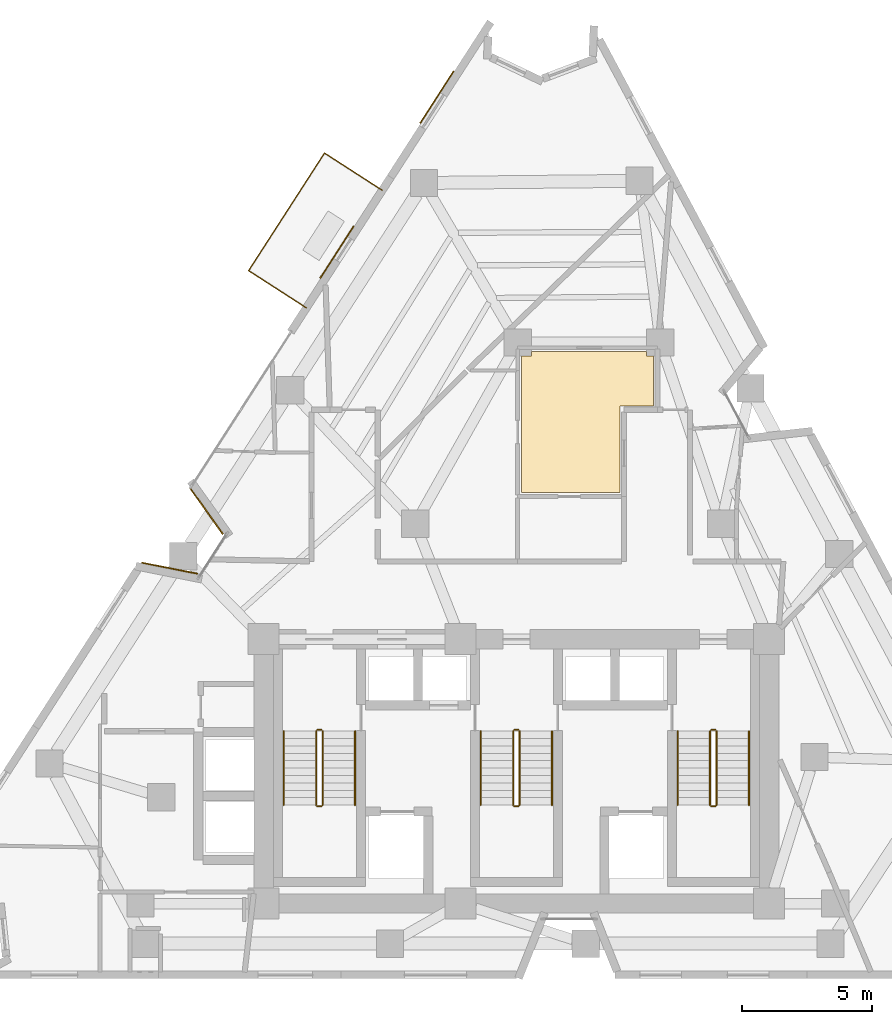
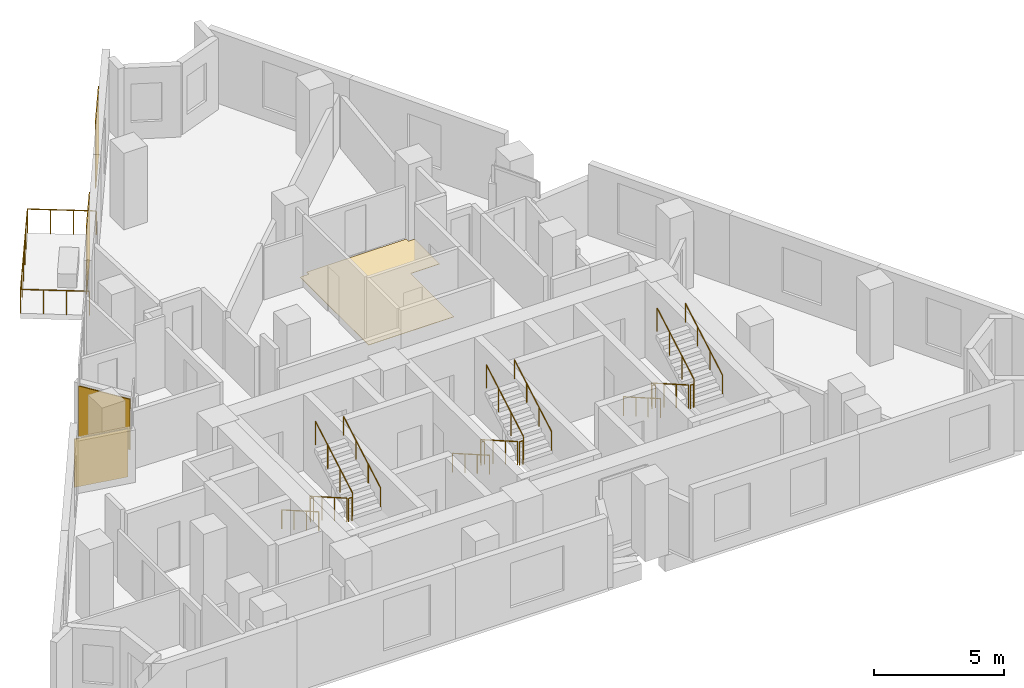
# One storey, part 10 of 10: 19 railings, 5 coverings.
"""IFC4 building model written with IfcOpenShell, lengths in metres."""

from ifc_helpers import new_model, si_unit, direction, frame, origin, origin_2d, place, context, subcontext, project, spatial, polyline, rectangle, circle, outline, extrude, material, layer, layer_set, type_object, element, save


model = new_model("IFC4")

# Units and contexts
model_context = context("Model", 3, precision=1e-05, world=origin(), true_north=direction((0.0, 1.0)))
body_context = subcontext(model_context, "Body", "Model", "MODEL_VIEW")
ifc_project = project(units=[si_unit("LENGTHUNIT", "METRE"), si_unit("AREAUNIT", "SQUARE_METRE"), si_unit("VOLUMEUNIT", "CUBIC_METRE"), si_unit("PLANEANGLEUNIT", "RADIAN"), si_unit("MASSUNIT", "GRAM", prefix="KILO")], contexts=[model_context])

# Site, building, storey
site_placement = place(None, origin())
site = spatial("IfcSite", under=ifc_project, at=site_placement, CompositionType="ELEMENT")
building_placement = place(site_placement, origin())
building = spatial("IfcBuilding", under=site, at=building_placement, Name="Almagre Mirador Tower", CompositionType="ELEMENT")
storey_placement = place(building_placement, frame((0.0, 0.0, 186.0)))
storey = spatial("IfcBuildingStorey", under=building, at=storey_placement, Name="L48", CompositionType="ELEMENT", Elevation=186.0)

# Coverings
ifc_material_1 = material(Name="Almagre terracotta architectural cladding", Category="masonry")
ifc_layer_1 = layer(ifc_material_1, 0.044921875)
ifc_layer_set_1 = layer_set([ifc_layer_1], Name="Almagre terracotta architectural cladding")
covering_type_1 = type_object("IfcCoveringType", Name="COV-CLAD-ALMAGRE", PredefinedType="CLADDING", material=ifc_layer_set_1)
covering_1_placement = place(storey_placement, frame((23.92138671875, 17.48681640625, 0.10009765625), z_axis=(0.0, 0.0, 1.0), x_axis=(0.981164762779, -0.193172742077, 0.0)))
element("IfcCovering", 1, at=covering_1_placement, inside=storey, type_object=covering_type_1, Name="L48 almagre terracotta pier cladding", PredefinedType="CLADDING", context=body_context, shape_type="SweptSolid", body=[
    extrude(rectangle(XDim=2.194091796875, YDim=0.044921875, at=origin_2d()), origin(), (0.0, 0.0, 1.0), 2.26904296875),
])
covering_2_placement = place(storey_placement, frame((25.343994140625, 19.69287109375, 0.10009765625), z_axis=(0.0, 0.0, 1.0), x_axis=(-0.580475589131, 0.814277649468, 0.0)))
element("IfcCovering", 2, at=covering_2_placement, inside=storey, type_object=covering_type_1, Name="L48 almagre terracotta pier cladding", PredefinedType="CLADDING", context=body_context, shape_type="SweptSolid", body=[
    extrude(rectangle(XDim=2.194091796875, YDim=0.044921875, at=origin_2d()), origin(), (0.0, 0.0, 1.0), 2.375),
])
for number, where, z_axis, x_axis, name in (
    (3, (30.37744140625, 29.680419921875, 0.10009765625), (0.0, 0.0, 1.0), (0.542030924747, 0.840358540516, 0.0), "L48 almagre terracotta pier cladding"),
    (4, (34.234619140625, 35.660400390625, 0.10009765625), (0.0, 0.0, 1.0), (0.542030924747, 0.840358540516, 0.0), "L48 almagre terracotta pier cladding"),
):
    element("IfcCovering", number, at=place(storey_placement, frame(where, z_axis=z_axis, x_axis=x_axis)), inside=storey, type_object=covering_type_1, Name=name, PredefinedType="CLADDING", context=body_context, shape_type="SweptSolid", body=[
        extrude(rectangle(XDim=2.39990234375, YDim=0.044921875, at=origin_2d()), origin(), (0.0, 0.0, 1.0), 3.14990234375),
    ])
ifc_material_2 = material(Name="Engineered white oak flooring", Category="wood")
ifc_layer_2 = layer(ifc_material_2, 0.01806640625)
ifc_layer_set_2 = layer_set([ifc_layer_2], Name="Engineered white oak flooring")
covering_type_2 = type_object("IfcCoveringType", Name="COV-FLR-OAK-18", PredefinedType="FLOORING", material=ifc_layer_set_2)
covering_3_placement = place(storey_placement, origin())
element("IfcCovering", 5, at=covering_3_placement, inside=storey, type_object=covering_type_2, Name="L48 Unit L48-E Living and Dining Room finish flooring", PredefinedType="FLOORING", context=body_context, shape_type="SweptSolid", body=[
    extrude(outline(polyline([(41.300048828125, 20.39990234375), (37.5, 20.39990234375), (37.5, 25.669921875), (37.8798828125, 25.669921875), (37.8798828125, 25.840087890625), (42.320068359375, 25.840087890625), (42.320068359375, 25.669921875), (42.60009765625, 25.669921875), (42.60009765625, 23.75), (41.300048828125, 23.75), (41.300048828125, 20.39990234375)])), origin(), (0.0, 0.0, 1.0), 0.01806640625),
])

# Railings
ifc_material_3 = material(Name="Black anodized aluminium", Category="aluminium")
railing_type_1 = type_object("IfcRailingType", Name="RLG-BAL-1150", PredefinedType="BALUSTRADE", material=ifc_material_3)
railing_1_placement = place(storey_placement, frame((32.123046875, 32.069091796875, 0.0)))
element("IfcRailing", 6, at=railing_1_placement, inside=storey, type_object=railing_type_1, Name="L48 west balcony balustrade 1", PredefinedType="BALUSTRADE", context=body_context, shape_type="SweptSolid", body=[
    extrude(circle(Radius=0.02392578125, at=origin_2d()), frame((0.0, 0.0, 1.1259765625), z_axis=(-0.840363006346, 0.542024000913, 0.0), x_axis=(-0.542024000913, -0.840363006346, 0.0)), (0.0, 0.0, 1.0), 2.64892578125),
    extrude(circle(Radius=0.02392578125, at=origin_2d()), frame((-2.22607421875, 1.435791015625, 1.1259765625), z_axis=(-0.542043453001, -0.840350459665, 0.0), x_axis=(0.840350459665, -0.542043453001, 0.0)), (0.0, 0.0, 1.0), 5.39990234375),
    extrude(circle(Radius=0.02392578125, at=origin_2d()), frame((-5.153076171875, -3.10205078125, 1.1259765625), z_axis=(0.840429304159, -0.54192119788, 0.0), x_axis=(0.54192119788, 0.840429304159, 0.0)), (0.0, 0.0, 1.0), 2.64990234375),
    extrude(circle(Radius=0.02099609375, at=origin_2d()), origin(), (0.0, 0.0, 1.0), 1.101806640625),
    extrude(circle(Radius=0.02099609375, at=origin_2d()), frame((-0.741943359375, 0.478515625, 0.0)), (0.0, 0.0, 1.0), 1.101806640625),
    extrude(circle(Radius=0.02099609375, at=origin_2d()), frame((-1.484130859375, 0.957275390625, 0.0)), (0.0, 0.0, 1.0), 1.101806640625),
    extrude(circle(Radius=0.02099609375, at=origin_2d()), frame((-2.22607421875, 1.435791015625, 0.0)), (0.0, 0.0, 1.0), 1.101806640625),
    extrude(circle(Radius=0.02099609375, at=origin_2d()), frame((-2.8115234375, 0.5283203125, 0.0)), (0.0, 0.0, 1.0), 1.101806640625),
    extrude(circle(Radius=0.02099609375, at=origin_2d()), frame((-3.39697265625, -0.37939453125, 0.0)), (0.0, 0.0, 1.0), 1.101806640625),
    extrude(circle(Radius=0.02099609375, at=origin_2d()), frame((-3.982177734375, -1.286865234375, 0.0)), (0.0, 0.0, 1.0), 1.101806640625),
    extrude(circle(Radius=0.02099609375, at=origin_2d()), frame((-4.567626953125, -2.194580078125, 0.0)), (0.0, 0.0, 1.0), 1.101806640625),
    extrude(circle(Radius=0.02099609375, at=origin_2d()), frame((-5.153076171875, -3.10205078125, 0.0)), (0.0, 0.0, 1.0), 1.101806640625),
    extrude(circle(Radius=0.02099609375, at=origin_2d()), frame((-4.41064453125, -3.580810546875, 0.0)), (0.0, 0.0, 1.0), 1.101806640625),
    extrude(circle(Radius=0.02099609375, at=origin_2d()), frame((-3.66845703125, -4.059326171875, 0.0)), (0.0, 0.0, 1.0), 1.101806640625),
    extrude(circle(Radius=0.02099609375, at=origin_2d()), frame((-2.926025390625, -4.5380859375, 0.0)), (0.0, 0.0, 1.0), 1.101806640625),
])
ifc_material_4 = material(Name="Painted galvanized steel", Category="steel")
railing_type_2 = type_object("IfcRailingType", Name="RLG-GRD-1100", PredefinedType="GUARDRAIL", material=ifc_material_4)
railing_2_placement = place(storey_placement, frame((29.574951171875, 11.199951171875, 0.16357421875)))
element("IfcRailing", 7, at=railing_2_placement, inside=storey, type_object=railing_type_2, Name="L48 ST-1 stair guard 1", PredefinedType="GUARDRAIL", context=body_context, shape_type="SweptSolid", body=[
    extrude(circle(Radius=0.02392578125, at=origin_2d()), frame((0.0, 0.0, 1.09619140625), z_axis=(0.0, -0.867194282975, 0.497969954491), x_axis=(1.0, 0.0, 0.0)), (0.0, 0.0, 1.0), 3.286376953125),
    extrude(circle(Radius=0.02099609375, at=origin_2d()), origin(), (0.0, 0.0, 1.0), 1.072021484375),
    extrude(circle(Radius=0.02099609375, at=origin_2d()), frame((0.0, -0.949951171875, 0.54541015625)), (0.0, 0.0, 1.0), 1.072021484375),
    extrude(circle(Radius=0.02099609375, at=origin_2d()), frame((0.0, -1.89990234375, 1.091064453125)), (0.0, 0.0, 1.0), 1.072021484375),
    extrude(circle(Radius=0.02099609375, at=origin_2d()), frame((0.0, -2.849853515625, 1.636474609375)), (0.0, 0.0, 1.0), 1.072021484375),
])
railing_3_placement = place(storey_placement, frame((29.625, 8.300048828125, 1.800048828125)))
element("IfcRailing", 8, at=railing_3_placement, inside=storey, type_object=railing_type_2, Name="L48 ST-1 stair guard 2", PredefinedType="GUARDRAIL", context=body_context, shape_type="SweptSolid", body=[
    extrude(circle(Radius=0.02392578125, at=origin_2d()), frame((0.0, 0.0, 1.09619140625), z_axis=(1.0, 0.0, 0.0), x_axis=(0.0, 1.0, 0.0)), (0.0, 0.0, 1.0), 0.14990234375),
    extrude(circle(Radius=0.02099609375, at=origin_2d()), origin(), (0.0, 0.0, 1.0), 1.072021484375),
    extrude(circle(Radius=0.02099609375, at=origin_2d()), frame((0.14990234375, 0.0, 0.0)), (0.0, 0.0, 1.0), 1.072021484375),
])
railing_4_placement = place(storey_placement, frame((29.824951171875, 8.35009765625, 1.963623046875)))
element("IfcRailing", 9, at=railing_4_placement, inside=storey, type_object=railing_type_2, Name="L48 ST-1 stair guard 3", PredefinedType="GUARDRAIL", context=body_context, shape_type="SweptSolid", body=[
    extrude(circle(Radius=0.02392578125, at=origin_2d()), frame((0.0, 0.0, 1.09619140625), z_axis=(0.0, 0.867194282975, 0.497969954491), x_axis=(-1.0, 0.0, 0.0)), (0.0, 0.0, 1.0), 3.286376953125),
    extrude(circle(Radius=0.02099609375, at=origin_2d()), origin(), (0.0, 0.0, 1.0), 1.072021484375),
    extrude(circle(Radius=0.02099609375, at=origin_2d()), frame((0.0, 0.949951171875, 0.54541015625)), (0.0, 0.0, 1.0), 1.072021484375),
    extrude(circle(Radius=0.02099609375, at=origin_2d()), frame((0.0, 1.89990234375, 1.091064453125)), (0.0, 0.0, 1.0), 1.072021484375),
    extrude(circle(Radius=0.02099609375, at=origin_2d()), frame((0.0, 2.849853515625, 1.636474609375)), (0.0, 0.0, 1.0), 1.072021484375),
])
railing_5_placement = place(storey_placement, frame((29.625, 11.25, 0.0)))
element("IfcRailing", 10, at=railing_5_placement, inside=storey, type_object=railing_type_2, Name="L48 ST-1 stair guard 4", PredefinedType="GUARDRAIL", context=body_context, shape_type="SweptSolid", body=[
    extrude(circle(Radius=0.02392578125, at=origin_2d()), frame((0.0, 0.0, 1.09619140625), z_axis=(1.0, 0.0, 0.0), x_axis=(0.0, 1.0, 0.0)), (0.0, 0.0, 1.0), 0.14990234375),
    extrude(circle(Radius=0.02099609375, at=origin_2d()), origin(), (0.0, 0.0, 1.0), 1.072021484375),
    extrude(circle(Radius=0.02099609375, at=origin_2d()), frame((0.14990234375, 0.0, 0.0)), (0.0, 0.0, 1.0), 1.072021484375),
])
railing_6_placement = place(storey_placement, frame((37.175048828125, 11.199951171875, 0.16357421875)))
element("IfcRailing", 11, at=railing_6_placement, inside=storey, type_object=railing_type_2, Name="L48 ST-2 stair guard 1", PredefinedType="GUARDRAIL", context=body_context, shape_type="SweptSolid", body=[
    extrude(circle(Radius=0.02392578125, at=origin_2d()), frame((0.0, 0.0, 1.09619140625), z_axis=(0.0, -0.867194282975, 0.497969954491), x_axis=(1.0, 0.0, 0.0)), (0.0, 0.0, 1.0), 3.286376953125),
    extrude(circle(Radius=0.02099609375, at=origin_2d()), origin(), (0.0, 0.0, 1.0), 1.072021484375),
    extrude(circle(Radius=0.02099609375, at=origin_2d()), frame((0.0, -0.949951171875, 0.54541015625)), (0.0, 0.0, 1.0), 1.072021484375),
    extrude(circle(Radius=0.02099609375, at=origin_2d()), frame((0.0, -1.89990234375, 1.091064453125)), (0.0, 0.0, 1.0), 1.072021484375),
    extrude(circle(Radius=0.02099609375, at=origin_2d()), frame((0.0, -2.849853515625, 1.636474609375)), (0.0, 0.0, 1.0), 1.072021484375),
])
railing_7_placement = place(storey_placement, frame((37.22509765625, 8.300048828125, 1.800048828125)))
element("IfcRailing", 12, at=railing_7_placement, inside=storey, type_object=railing_type_2, Name="L48 ST-2 stair guard 2", PredefinedType="GUARDRAIL", context=body_context, shape_type="SweptSolid", body=[
    extrude(circle(Radius=0.02392578125, at=origin_2d()), frame((0.0, 0.0, 1.09619140625), z_axis=(1.0, 0.0, 0.0), x_axis=(0.0, 1.0, 0.0)), (0.0, 0.0, 1.0), 0.14990234375),
    extrude(circle(Radius=0.02099609375, at=origin_2d()), origin(), (0.0, 0.0, 1.0), 1.072021484375),
    extrude(circle(Radius=0.02099609375, at=origin_2d()), frame((0.14990234375, 0.0, 0.0)), (0.0, 0.0, 1.0), 1.072021484375),
])
railing_8_placement = place(storey_placement, frame((37.425048828125, 8.35009765625, 1.963623046875)))
element("IfcRailing", 13, at=railing_8_placement, inside=storey, type_object=railing_type_2, Name="L48 ST-2 stair guard 3", PredefinedType="GUARDRAIL", context=body_context, shape_type="SweptSolid", body=[
    extrude(circle(Radius=0.02392578125, at=origin_2d()), frame((0.0, 0.0, 1.09619140625), z_axis=(0.0, 0.867194282975, 0.497969954491), x_axis=(-1.0, 0.0, 0.0)), (0.0, 0.0, 1.0), 3.286376953125),
    extrude(circle(Radius=0.02099609375, at=origin_2d()), origin(), (0.0, 0.0, 1.0), 1.072021484375),
    extrude(circle(Radius=0.02099609375, at=origin_2d()), frame((0.0, 0.949951171875, 0.54541015625)), (0.0, 0.0, 1.0), 1.072021484375),
    extrude(circle(Radius=0.02099609375, at=origin_2d()), frame((0.0, 1.89990234375, 1.091064453125)), (0.0, 0.0, 1.0), 1.072021484375),
    extrude(circle(Radius=0.02099609375, at=origin_2d()), frame((0.0, 2.849853515625, 1.636474609375)), (0.0, 0.0, 1.0), 1.072021484375),
])
railing_9_placement = place(storey_placement, frame((37.22509765625, 11.25, 0.0)))
element("IfcRailing", 14, at=railing_9_placement, inside=storey, type_object=railing_type_2, Name="L48 ST-2 stair guard 4", PredefinedType="GUARDRAIL", context=body_context, shape_type="SweptSolid", body=[
    extrude(circle(Radius=0.02392578125, at=origin_2d()), frame((0.0, 0.0, 1.09619140625), z_axis=(1.0, 0.0, 0.0), x_axis=(0.0, 1.0, 0.0)), (0.0, 0.0, 1.0), 0.14990234375),
    extrude(circle(Radius=0.02099609375, at=origin_2d()), origin(), (0.0, 0.0, 1.0), 1.072021484375),
    extrude(circle(Radius=0.02099609375, at=origin_2d()), frame((0.14990234375, 0.0, 0.0)), (0.0, 0.0, 1.0), 1.072021484375),
])
railing_10_placement = place(storey_placement, frame((44.77490234375, 11.199951171875, 0.16357421875)))
element("IfcRailing", 15, at=railing_10_placement, inside=storey, type_object=railing_type_2, Name="L48 ST-3 stair guard 1", PredefinedType="GUARDRAIL", context=body_context, shape_type="SweptSolid", body=[
    extrude(circle(Radius=0.02392578125, at=origin_2d()), frame((0.0, 0.0, 1.09619140625), z_axis=(0.0, -0.867194282975, 0.497969954491), x_axis=(1.0, 0.0, 0.0)), (0.0, 0.0, 1.0), 3.286376953125),
    extrude(circle(Radius=0.02099609375, at=origin_2d()), origin(), (0.0, 0.0, 1.0), 1.072021484375),
    extrude(circle(Radius=0.02099609375, at=origin_2d()), frame((0.0, -0.949951171875, 0.54541015625)), (0.0, 0.0, 1.0), 1.072021484375),
    extrude(circle(Radius=0.02099609375, at=origin_2d()), frame((0.0, -1.89990234375, 1.091064453125)), (0.0, 0.0, 1.0), 1.072021484375),
    extrude(circle(Radius=0.02099609375, at=origin_2d()), frame((0.0, -2.849853515625, 1.636474609375)), (0.0, 0.0, 1.0), 1.072021484375),
])
railing_11_placement = place(storey_placement, frame((44.824951171875, 8.300048828125, 1.800048828125)))
element("IfcRailing", 16, at=railing_11_placement, inside=storey, type_object=railing_type_2, Name="L48 ST-3 stair guard 2", PredefinedType="GUARDRAIL", context=body_context, shape_type="SweptSolid", body=[
    extrude(circle(Radius=0.02392578125, at=origin_2d()), frame((0.0, 0.0, 1.09619140625), z_axis=(1.0, 0.0, 0.0), x_axis=(0.0, 1.0, 0.0)), (0.0, 0.0, 1.0), 0.150146484375),
    extrude(circle(Radius=0.02099609375, at=origin_2d()), origin(), (0.0, 0.0, 1.0), 1.072021484375),
    extrude(circle(Radius=0.02099609375, at=origin_2d()), frame((0.150146484375, 0.0, 0.0)), (0.0, 0.0, 1.0), 1.072021484375),
])
railing_12_placement = place(storey_placement, frame((45.02490234375, 8.35009765625, 1.963623046875)))
element("IfcRailing", 17, at=railing_12_placement, inside=storey, type_object=railing_type_2, Name="L48 ST-3 stair guard 3", PredefinedType="GUARDRAIL", context=body_context, shape_type="SweptSolid", body=[
    extrude(circle(Radius=0.02392578125, at=origin_2d()), frame((0.0, 0.0, 1.09619140625), z_axis=(0.0, 0.867194282975, 0.497969954491), x_axis=(-1.0, 0.0, 0.0)), (0.0, 0.0, 1.0), 3.286376953125),
    extrude(circle(Radius=0.02099609375, at=origin_2d()), origin(), (0.0, 0.0, 1.0), 1.072021484375),
    extrude(circle(Radius=0.02099609375, at=origin_2d()), frame((0.0, 0.949951171875, 0.54541015625)), (0.0, 0.0, 1.0), 1.072021484375),
    extrude(circle(Radius=0.02099609375, at=origin_2d()), frame((0.0, 1.89990234375, 1.091064453125)), (0.0, 0.0, 1.0), 1.072021484375),
    extrude(circle(Radius=0.02099609375, at=origin_2d()), frame((0.0, 2.849853515625, 1.636474609375)), (0.0, 0.0, 1.0), 1.072021484375),
])
railing_13_placement = place(storey_placement, frame((44.824951171875, 11.25, 0.0)))
element("IfcRailing", 18, at=railing_13_placement, inside=storey, type_object=railing_type_2, Name="L48 ST-3 stair guard 4", PredefinedType="GUARDRAIL", context=body_context, shape_type="SweptSolid", body=[
    extrude(circle(Radius=0.02392578125, at=origin_2d()), frame((0.0, 0.0, 1.09619140625), z_axis=(1.0, 0.0, 0.0), x_axis=(0.0, 1.0, 0.0)), (0.0, 0.0, 1.0), 0.150146484375),
    extrude(circle(Radius=0.02099609375, at=origin_2d()), origin(), (0.0, 0.0, 1.0), 1.072021484375),
    extrude(circle(Radius=0.02099609375, at=origin_2d()), frame((0.150146484375, 0.0, 0.0)), (0.0, 0.0, 1.0), 1.072021484375),
])
ifc_material_5 = material(Name="Brushed stainless steel", Category="steel")
railing_type_3 = type_object("IfcRailingType", Name="RLG-HND-915", PredefinedType="HANDRAIL", material=ifc_material_5)
railing_14_placement = place(storey_placement, frame((28.324951171875, 11.199951171875, 0.16357421875)))
element("IfcRailing", 19, at=railing_14_placement, inside=storey, type_object=railing_type_3, Name="L48 ST-1 stair handrail 1", PredefinedType="HANDRAIL", context=body_context, shape_type="SweptSolid", body=[
    extrude(circle(Radius=0.02392578125, at=origin_2d()), frame((0.0, 0.0, 0.89111328125), z_axis=(0.0, -0.867194282975, 0.497969954491), x_axis=(1.0, 0.0, 0.0)), (0.0, 0.0, 1.0), 3.286376953125),
    extrude(circle(Radius=0.02099609375, at=origin_2d()), origin(), (0.0, 0.0, 1.0), 0.866943359375),
    extrude(circle(Radius=0.02099609375, at=origin_2d()), frame((0.0, -0.949951171875, 0.54541015625)), (0.0, 0.0, 1.0), 0.866943359375),
    extrude(circle(Radius=0.02099609375, at=origin_2d()), frame((0.0, -1.89990234375, 1.091064453125)), (0.0, 0.0, 1.0), 0.866943359375),
    extrude(circle(Radius=0.02099609375, at=origin_2d()), frame((0.0, -2.849853515625, 1.636474609375)), (0.0, 0.0, 1.0), 0.866943359375),
])
railing_15_placement = place(storey_placement, frame((31.074951171875, 8.35009765625, 1.963623046875)))
element("IfcRailing", 20, at=railing_15_placement, inside=storey, type_object=railing_type_3, Name="L48 ST-1 stair handrail 2", PredefinedType="HANDRAIL", context=body_context, shape_type="SweptSolid", body=[
    extrude(circle(Radius=0.02392578125, at=origin_2d()), frame((0.0, 0.0, 0.89111328125), z_axis=(0.0, 0.867194282975, 0.497969954491), x_axis=(-1.0, 0.0, 0.0)), (0.0, 0.0, 1.0), 3.286376953125),
    extrude(circle(Radius=0.02099609375, at=origin_2d()), origin(), (0.0, 0.0, 1.0), 0.866943359375),
    extrude(circle(Radius=0.02099609375, at=origin_2d()), frame((0.0, 0.949951171875, 0.54541015625)), (0.0, 0.0, 1.0), 0.866943359375),
    extrude(circle(Radius=0.02099609375, at=origin_2d()), frame((0.0, 1.89990234375, 1.091064453125)), (0.0, 0.0, 1.0), 0.866943359375),
    extrude(circle(Radius=0.02099609375, at=origin_2d()), frame((0.0, 2.849853515625, 1.636474609375)), (0.0, 0.0, 1.0), 0.866943359375),
])
railing_16_placement = place(storey_placement, frame((35.925048828125, 11.199951171875, 0.16357421875)))
element("IfcRailing", 21, at=railing_16_placement, inside=storey, type_object=railing_type_3, Name="L48 ST-2 stair handrail 1", PredefinedType="HANDRAIL", context=body_context, shape_type="SweptSolid", body=[
    extrude(circle(Radius=0.02392578125, at=origin_2d()), frame((0.0, 0.0, 0.89111328125), z_axis=(0.0, -0.867194282975, 0.497969954491), x_axis=(1.0, 0.0, 0.0)), (0.0, 0.0, 1.0), 3.286376953125),
    extrude(circle(Radius=0.02099609375, at=origin_2d()), origin(), (0.0, 0.0, 1.0), 0.866943359375),
    extrude(circle(Radius=0.02099609375, at=origin_2d()), frame((0.0, -0.949951171875, 0.54541015625)), (0.0, 0.0, 1.0), 0.866943359375),
    extrude(circle(Radius=0.02099609375, at=origin_2d()), frame((0.0, -1.89990234375, 1.091064453125)), (0.0, 0.0, 1.0), 0.866943359375),
    extrude(circle(Radius=0.02099609375, at=origin_2d()), frame((0.0, -2.849853515625, 1.636474609375)), (0.0, 0.0, 1.0), 0.866943359375),
])
railing_17_placement = place(storey_placement, frame((38.675048828125, 8.35009765625, 1.963623046875)))
element("IfcRailing", 22, at=railing_17_placement, inside=storey, type_object=railing_type_3, Name="L48 ST-2 stair handrail 2", PredefinedType="HANDRAIL", context=body_context, shape_type="SweptSolid", body=[
    extrude(circle(Radius=0.02392578125, at=origin_2d()), frame((0.0, 0.0, 0.89111328125), z_axis=(0.0, 0.867194282975, 0.497969954491), x_axis=(-1.0, 0.0, 0.0)), (0.0, 0.0, 1.0), 3.286376953125),
    extrude(circle(Radius=0.02099609375, at=origin_2d()), origin(), (0.0, 0.0, 1.0), 0.866943359375),
    extrude(circle(Radius=0.02099609375, at=origin_2d()), frame((0.0, 0.949951171875, 0.54541015625)), (0.0, 0.0, 1.0), 0.866943359375),
    extrude(circle(Radius=0.02099609375, at=origin_2d()), frame((0.0, 1.89990234375, 1.091064453125)), (0.0, 0.0, 1.0), 0.866943359375),
    extrude(circle(Radius=0.02099609375, at=origin_2d()), frame((0.0, 2.849853515625, 1.636474609375)), (0.0, 0.0, 1.0), 0.866943359375),
])
railing_18_placement = place(storey_placement, frame((43.52490234375, 11.199951171875, 0.16357421875)))
element("IfcRailing", 23, at=railing_18_placement, inside=storey, type_object=railing_type_3, Name="L48 ST-3 stair handrail 1", PredefinedType="HANDRAIL", context=body_context, shape_type="SweptSolid", body=[
    extrude(circle(Radius=0.02392578125, at=origin_2d()), frame((0.0, 0.0, 0.89111328125), z_axis=(0.0, -0.867194282975, 0.497969954491), x_axis=(1.0, 0.0, 0.0)), (0.0, 0.0, 1.0), 3.286376953125),
    extrude(circle(Radius=0.02099609375, at=origin_2d()), origin(), (0.0, 0.0, 1.0), 0.866943359375),
    extrude(circle(Radius=0.02099609375, at=origin_2d()), frame((0.0, -0.949951171875, 0.54541015625)), (0.0, 0.0, 1.0), 0.866943359375),
    extrude(circle(Radius=0.02099609375, at=origin_2d()), frame((0.0, -1.89990234375, 1.091064453125)), (0.0, 0.0, 1.0), 0.866943359375),
    extrude(circle(Radius=0.02099609375, at=origin_2d()), frame((0.0, -2.849853515625, 1.636474609375)), (0.0, 0.0, 1.0), 0.866943359375),
])
railing_19_placement = place(storey_placement, frame((46.27490234375, 8.35009765625, 1.963623046875)))
element("IfcRailing", 24, at=railing_19_placement, inside=storey, type_object=railing_type_3, Name="L48 ST-3 stair handrail 2", PredefinedType="HANDRAIL", context=body_context, shape_type="SweptSolid", body=[
    extrude(circle(Radius=0.02392578125, at=origin_2d()), frame((0.0, 0.0, 0.89111328125), z_axis=(0.0, 0.867194282975, 0.497969954491), x_axis=(-1.0, 0.0, 0.0)), (0.0, 0.0, 1.0), 3.286376953125),
    extrude(circle(Radius=0.02099609375, at=origin_2d()), origin(), (0.0, 0.0, 1.0), 0.866943359375),
    extrude(circle(Radius=0.02099609375, at=origin_2d()), frame((0.0, 0.949951171875, 0.54541015625)), (0.0, 0.0, 1.0), 0.866943359375),
    extrude(circle(Radius=0.02099609375, at=origin_2d()), frame((0.0, 1.89990234375, 1.091064453125)), (0.0, 0.0, 1.0), 0.866943359375),
    extrude(circle(Radius=0.02099609375, at=origin_2d()), frame((0.0, 2.849853515625, 1.636474609375)), (0.0, 0.0, 1.0), 0.866943359375),
])

save(model, "model.ifc")
